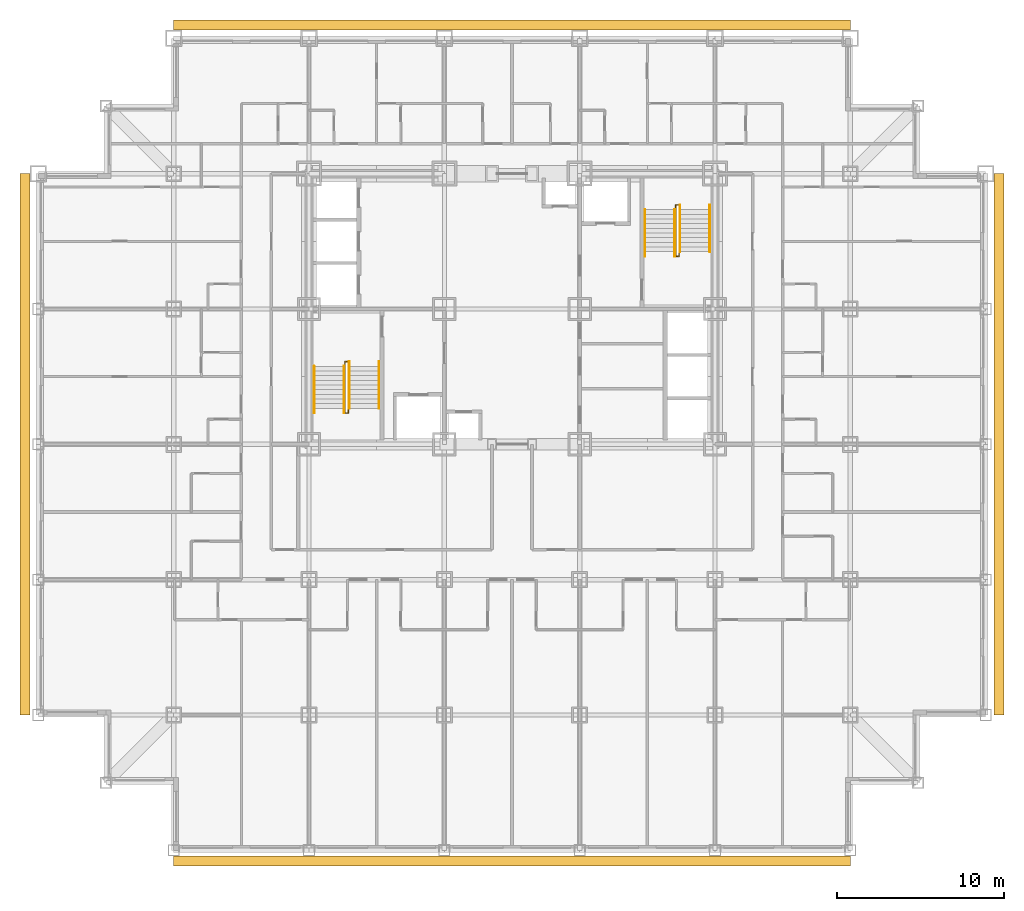
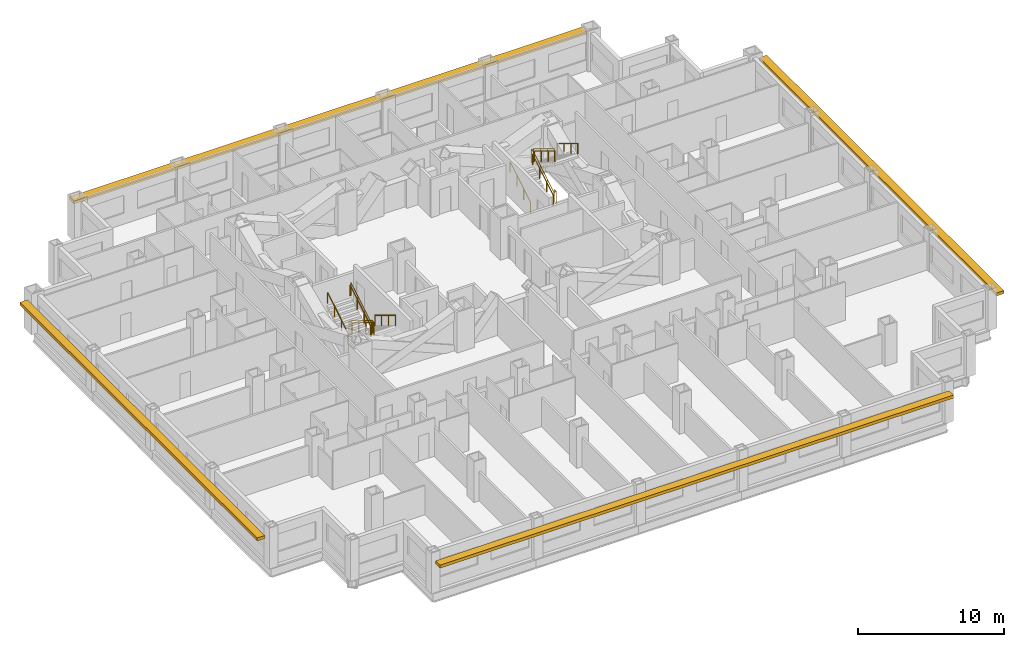
# One storey, part 11 of 11: 10 railings, 4 shading devices.
"""IFC4 building model written with IfcOpenShell, lengths in metres."""

from ifc_helpers import new_model, si_unit, direction, frame, origin, origin_2d, place, context, subcontext, project, spatial, rectangle, circle, extrude, material, type_object, element, save


model = new_model("IFC4")

# Units and contexts
model_context = context("Model", 3, precision=1e-05, world=origin(), true_north=direction((0.0, 1.0)))
body_context = subcontext(model_context, "Body", "Model", "MODEL_VIEW")
ifc_project = project(units=[si_unit("LENGTHUNIT", "METRE"), si_unit("AREAUNIT", "SQUARE_METRE"), si_unit("VOLUMEUNIT", "CUBIC_METRE"), si_unit("PLANEANGLEUNIT", "RADIAN"), si_unit("MASSUNIT", "GRAM", prefix="KILO")], contexts=[model_context])

# Site, building, storey
site_placement = place(None, origin())
site = spatial("IfcSite", under=ifc_project, at=site_placement, CompositionType="ELEMENT")
building_placement = place(site_placement, origin())
building = spatial("IfcBuilding", under=site, at=building_placement, Name="Kopane Lantern Tower", CompositionType="ELEMENT")
storey_placement = place(building_placement, frame((0.0, 0.0, 84.0)))
storey = spatial("IfcBuildingStorey", under=building, at=storey_placement, Name="L21", CompositionType="ELEMENT", Elevation=84.0)

# Railings
ifc_material_1 = material(Name="Steel", Category="steel")
railing_type_1 = type_object("IfcRailingType", Name="STAIR GUARD 1100", PredefinedType="GUARDRAIL", material=ifc_material_1)
railing_1_placement = place(storey_placement, frame((18.35009765625, 28.969970703125, 0.0)))
element("IfcRailing", 1, at=railing_1_placement, inside=storey, type_object=railing_type_1, Name="ST1 well guard L21", PredefinedType="GUARDRAIL", context=body_context, shape_type="SweptSolid", body=[
    extrude(circle(Radius=0.02392578125, at=origin_2d()), frame((0.0, 0.0, 1.076171875), z_axis=(0.0, 1.0, 0.0), x_axis=(-1.0, 0.0, 0.0)), (0.0, 0.0, 1.0), 0.280029296875),
    extrude(circle(Radius=0.02392578125, at=origin_2d()), frame((0.0, 0.280029296875, 1.076171875), z_axis=(1.0, 0.0, 0.0), x_axis=(0.0, 1.0, 0.0)), (0.0, 0.0, 1.0), 0.199951171875),
    extrude(circle(Radius=0.02392578125, at=origin_2d()), frame((0.199951171875, 0.280029296875, 1.076171875), z_axis=(0.0, -0.854798142509, 0.518960630071), x_axis=(1.0, 0.0, 0.0)), (0.0, 0.0, 1.0), 3.275634765625),
    extrude(circle(Radius=0.02392578125, at=origin_2d()), frame((0.199951171875, -2.52001953125, 2.77587890625), z_axis=(0.0, -1.0, 0.0), x_axis=(1.0, 0.0, 0.0)), (0.0, 0.0, 1.0), 0.280029296875),
    extrude(circle(Radius=0.02392578125, at=origin_2d()), frame((0.199951171875, -2.800048828125, 2.77587890625), z_axis=(-1.0, 0.0, 0.0), x_axis=(0.0, -1.0, 0.0)), (0.0, 0.0, 1.0), 0.199951171875),
    extrude(circle(Radius=0.02392578125, at=origin_2d()), frame((0.0, -2.800048828125, 2.77587890625), z_axis=(0.0, 0.854798142509, 0.518960630071), x_axis=(-1.0, 0.0, 0.0)), (0.0, 0.0, 1.0), 3.275634765625),
    extrude(circle(Radius=0.02099609375, at=origin_2d()), origin(), (0.0, 0.0, 1.0), 1.052001953125),
    extrude(circle(Radius=0.02099609375, at=origin_2d()), frame((0.0, 0.280029296875, 0.0)), (0.0, 0.0, 1.0), 1.052001953125),
    extrude(circle(Radius=0.02099609375, at=origin_2d()), frame((0.199951171875, 0.280029296875, 0.0)), (0.0, 0.0, 1.0), 1.052001953125),
    extrude(circle(Radius=0.02099609375, at=origin_2d()), frame((0.199951171875, -0.6533203125, 0.566650390625)), (0.0, 0.0, 1.0), 1.052001953125),
    extrude(circle(Radius=0.02099609375, at=origin_2d()), frame((0.199951171875, -1.586669921875, 1.13330078125)), (0.0, 0.0, 1.0), 1.052001953125),
    extrude(circle(Radius=0.02099609375, at=origin_2d()), frame((0.199951171875, -2.52001953125, 1.699951171875)), (0.0, 0.0, 1.0), 1.052001953125),
    extrude(circle(Radius=0.02099609375, at=origin_2d()), frame((0.199951171875, -2.800048828125, 1.699951171875)), (0.0, 0.0, 1.0), 1.052001953125),
    extrude(circle(Radius=0.02099609375, at=origin_2d()), frame((0.0, -2.800048828125, 1.699951171875)), (0.0, 0.0, 1.0), 1.052001953125),
    extrude(circle(Radius=0.02099609375, at=origin_2d()), frame((0.0, -1.86669921875, 2.2666015625)), (0.0, 0.0, 1.0), 1.052001953125),
    extrude(circle(Radius=0.02099609375, at=origin_2d()), frame((0.0, -0.933349609375, 2.833251953125)), (0.0, 0.0, 1.0), 1.052001953125),
    extrude(circle(Radius=0.02099609375, at=origin_2d()), frame((0.0, 0.0, 3.39990234375)), (0.0, 0.0, 1.0), 1.052001953125),
])
railing_2_placement = place(storey_placement, frame((38.35009765625, 35.830078125, 0.0)))
element("IfcRailing", 2, at=railing_2_placement, inside=storey, type_object=railing_type_1, Name="ST2 well guard L21", PredefinedType="GUARDRAIL", context=body_context, shape_type="SweptSolid", body=[
    extrude(circle(Radius=0.02392578125, at=origin_2d()), frame((0.0, 0.0, 1.076171875), z_axis=(0.0, -1.0, 0.0), x_axis=(1.0, 0.0, 0.0)), (0.0, 0.0, 1.0), 0.280029296875),
    extrude(circle(Radius=0.02392578125, at=origin_2d()), frame((0.0, -0.280029296875, 1.076171875), z_axis=(-1.0, 0.0, 0.0), x_axis=(0.0, -1.0, 0.0)), (0.0, 0.0, 1.0), 0.2001953125),
    extrude(circle(Radius=0.02392578125, at=origin_2d()), frame((-0.2001953125, -0.280029296875, 1.076171875), z_axis=(0.0, 0.854798142509, 0.518960630071), x_axis=(-1.0, 0.0, 0.0)), (0.0, 0.0, 1.0), 3.275634765625),
    extrude(circle(Radius=0.02392578125, at=origin_2d()), frame((-0.2001953125, 2.52001953125, 2.77587890625), z_axis=(0.0, 1.0, 0.0), x_axis=(-1.0, 0.0, 0.0)), (0.0, 0.0, 1.0), 0.27978515625),
    extrude(circle(Radius=0.02392578125, at=origin_2d()), frame((-0.2001953125, 2.7998046875, 2.77587890625), z_axis=(1.0, 0.0, 0.0), x_axis=(0.0, 1.0, 0.0)), (0.0, 0.0, 1.0), 0.2001953125),
    extrude(circle(Radius=0.02392578125, at=origin_2d()), frame((0.0, 2.7998046875, 2.77587890625), z_axis=(0.0, -0.854778067842, 0.518993694313), x_axis=(1.0, 0.0, 0.0)), (0.0, 0.0, 1.0), 3.275390625),
    extrude(circle(Radius=0.02099609375, at=origin_2d()), origin(), (0.0, 0.0, 1.0), 1.052001953125),
    extrude(circle(Radius=0.02099609375, at=origin_2d()), frame((0.0, -0.280029296875, 0.0)), (0.0, 0.0, 1.0), 1.052001953125),
    extrude(circle(Radius=0.02099609375, at=origin_2d()), frame((-0.2001953125, -0.280029296875, 0.0)), (0.0, 0.0, 1.0), 1.052001953125),
    extrude(circle(Radius=0.02099609375, at=origin_2d()), frame((-0.2001953125, 0.6533203125, 0.566650390625)), (0.0, 0.0, 1.0), 1.052001953125),
    extrude(circle(Radius=0.02099609375, at=origin_2d()), frame((-0.2001953125, 1.586669921875, 1.13330078125)), (0.0, 0.0, 1.0), 1.052001953125),
    extrude(circle(Radius=0.02099609375, at=origin_2d()), frame((-0.2001953125, 2.52001953125, 1.699951171875)), (0.0, 0.0, 1.0), 1.052001953125),
    extrude(circle(Radius=0.02099609375, at=origin_2d()), frame((-0.2001953125, 2.7998046875, 1.699951171875)), (0.0, 0.0, 1.0), 1.052001953125),
    extrude(circle(Radius=0.02099609375, at=origin_2d()), frame((0.0, 2.7998046875, 1.699951171875)), (0.0, 0.0, 1.0), 1.052001953125),
    extrude(circle(Radius=0.02099609375, at=origin_2d()), frame((0.0, 1.866455078125, 2.2666015625)), (0.0, 0.0, 1.0), 1.052001953125),
    extrude(circle(Radius=0.02099609375, at=origin_2d()), frame((0.0, 0.933349609375, 2.833251953125)), (0.0, 0.0, 1.0), 1.052001953125),
    extrude(circle(Radius=0.02099609375, at=origin_2d()), frame((0.0, 0.0, 3.39990234375)), (0.0, 0.0, 1.0), 1.052001953125),
])
ifc_material_2 = material(Name="Steel", Category="steel")
railing_type_2 = type_object("IfcRailingType", Name="STAIR HANDRAIL 900", PredefinedType="HANDRAIL", material=ifc_material_2)
for number, where, name in (
    (3, (20.389892578125, 29.25, 0.0), "ST1 handrail L21 flight 1"),
    (4, (18.610107421875, 29.25, 0.0), "ST1 handrail L21 flight 1"),
):
    element("IfcRailing", number, at=place(storey_placement, frame(where)), inside=storey, type_object=railing_type_2, Name=name, PredefinedType="HANDRAIL", context=body_context, shape_type="SweptSolid", body=[
        extrude(circle(Radius=0.02392578125, at=origin_2d()), frame((0.0, 0.0, 0.8759765625), z_axis=(0.0, -0.854798142509, 0.518960630071), x_axis=(1.0, 0.0, 0.0)), (0.0, 0.0, 1.0), 3.275634765625),
        extrude(circle(Radius=0.02099609375, at=origin_2d()), origin(), (0.0, 0.0, 1.0), 0.851806640625),
        extrude(circle(Radius=0.02099609375, at=origin_2d()), frame((0.0, -0.933349609375, 0.566650390625)), (0.0, 0.0, 1.0), 0.851806640625),
        extrude(circle(Radius=0.02099609375, at=origin_2d()), frame((0.0, -1.86669921875, 1.13330078125)), (0.0, 0.0, 1.0), 0.851806640625),
        extrude(circle(Radius=0.02099609375, at=origin_2d()), frame((0.0, -2.800048828125, 1.699951171875)), (0.0, 0.0, 1.0), 0.851806640625),
    ])
for number, where, name in (
    (5, (16.510009765625, 26.169921875, 1.699951171875), "ST1 handrail L21 flight 2"),
    (6, (18.2900390625, 26.169921875, 1.699951171875), "ST1 handrail L21 flight 2"),
    (7, (36.31005859375, 35.550048828125, 0.0), "ST2 handrail L21 flight 1"),
    (8, (38.090087890625, 35.550048828125, 0.0), "ST2 handrail L21 flight 1"),
):
    element("IfcRailing", number, at=place(storey_placement, frame(where)), inside=storey, type_object=railing_type_2, Name=name, PredefinedType="HANDRAIL", context=body_context, shape_type="SweptSolid", body=[
        extrude(circle(Radius=0.02392578125, at=origin_2d()), frame((0.0, 0.0, 0.8759765625), z_axis=(0.0, 0.854798142509, 0.518960630071), x_axis=(-1.0, 0.0, 0.0)), (0.0, 0.0, 1.0), 3.275634765625),
        extrude(circle(Radius=0.02099609375, at=origin_2d()), origin(), (0.0, 0.0, 1.0), 0.851806640625),
        extrude(circle(Radius=0.02099609375, at=origin_2d()), frame((0.0, 0.933349609375, 0.566650390625)), (0.0, 0.0, 1.0), 0.851806640625),
        extrude(circle(Radius=0.02099609375, at=origin_2d()), frame((0.0, 1.86669921875, 1.13330078125)), (0.0, 0.0, 1.0), 0.851806640625),
        extrude(circle(Radius=0.02099609375, at=origin_2d()), frame((0.0, 2.800048828125, 1.699951171875)), (0.0, 0.0, 1.0), 0.851806640625),
    ])
for number, where, name in (
    (9, (40.18994140625, 38.6298828125, 1.699951171875), "ST2 handrail L21 flight 2"),
    (10, (38.409912109375, 38.6298828125, 1.699951171875), "ST2 handrail L21 flight 2"),
):
    element("IfcRailing", number, at=place(storey_placement, frame(where)), inside=storey, type_object=railing_type_2, Name=name, PredefinedType="HANDRAIL", context=body_context, shape_type="SweptSolid", body=[
        extrude(circle(Radius=0.02392578125, at=origin_2d()), frame((0.0, 0.0, 0.8759765625), z_axis=(0.0, -0.854778067842, 0.518993694313), x_axis=(1.0, 0.0, 0.0)), (0.0, 0.0, 1.0), 3.275390625),
        extrude(circle(Radius=0.02099609375, at=origin_2d()), origin(), (0.0, 0.0, 1.0), 0.851806640625),
        extrude(circle(Radius=0.02099609375, at=origin_2d()), frame((0.0, -0.933349609375, 0.566650390625)), (0.0, 0.0, 1.0), 0.851806640625),
        extrude(circle(Radius=0.02099609375, at=origin_2d()), frame((0.0, -1.866455078125, 1.13330078125)), (0.0, 0.0, 1.0), 0.851806640625),
        extrude(circle(Radius=0.02099609375, at=origin_2d()), frame((0.0, -2.7998046875, 1.699951171875)), (0.0, 0.0, 1.0), 0.851806640625),
    ])

# Shading devices
ifc_material_3 = material(Name="Terracotta rainscreen on light steel framing", Category="masonry")
shading_device_type = type_object("IfcShadingDeviceType", Name="SUNSHADE BAND SB1 600 TERRACOTTA", PredefinedType="USERDEFINED", material=ifc_material_3)
shading_device_1_placement = place(storey_placement, frame((28.35009765625, -0.64990234375, 2.39990234375), z_axis=(0.0, 0.0, 1.0), x_axis=(1.0, 0.0, 0.0)))
element("IfcShadingDevice", 11, at=shading_device_1_placement, inside=storey, type_object=shading_device_type, Name="Sunshade band S L21", ObjectType="SUNSHADE BAND", PredefinedType="USERDEFINED", context=body_context, shape_type="SweptSolid", body=[
    extrude(rectangle(XDim=40.5, YDim=0.60009765625, at=origin_2d()), origin(), (0.0, 0.0, 1.0), 0.25),
])
shading_device_2_placement = place(storey_placement, frame((57.5, 24.300048828125, 2.39990234375), z_axis=(0.0, 0.0, 1.0), x_axis=(0.0, 1.0, 0.0)))
element("IfcShadingDevice", 12, at=shading_device_2_placement, inside=storey, type_object=shading_device_type, Name="Sunshade band E L21", ObjectType="SUNSHADE BAND", PredefinedType="USERDEFINED", context=body_context, shape_type="SweptSolid", body=[
    extrude(rectangle(XDim=32.39990234375, YDim=0.60009765625, at=origin_2d()), origin(), (0.0, 0.0, 1.0), 0.25),
])
shading_device_3_placement = place(storey_placement, frame((28.35009765625, 49.39990234375, 2.39990234375), z_axis=(0.0, 0.0, 1.0), x_axis=(-1.0, 0.0, 0.0)))
element("IfcShadingDevice", 13, at=shading_device_3_placement, inside=storey, type_object=shading_device_type, Name="Sunshade band N L21", ObjectType="SUNSHADE BAND", PredefinedType="USERDEFINED", context=body_context, shape_type="SweptSolid", body=[
    extrude(rectangle(XDim=40.5, YDim=0.60009765625, at=origin_2d()), origin(), (0.0, 0.0, 1.0), 0.25),
])
shading_device_4_placement = place(storey_placement, frame((-0.800048828125, 24.300048828125, 2.39990234375), z_axis=(0.0, 0.0, 1.0), x_axis=(0.0, -1.0, 0.0)))
element("IfcShadingDevice", 14, at=shading_device_4_placement, inside=storey, type_object=shading_device_type, Name="Sunshade band W L21", ObjectType="SUNSHADE BAND", PredefinedType="USERDEFINED", context=body_context, shape_type="SweptSolid", body=[
    extrude(rectangle(XDim=32.39990234375, YDim=0.60009765625, at=origin_2d()), origin(), (0.0, 0.0, 1.0), 0.25),
])

save(model, "model.ifc")
